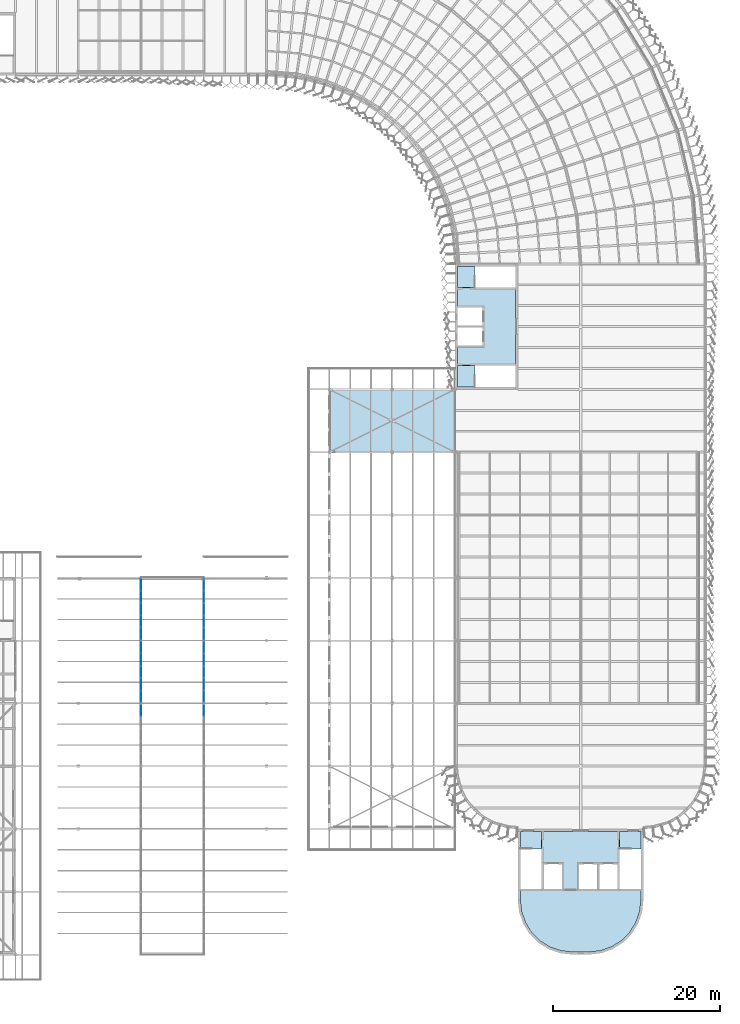
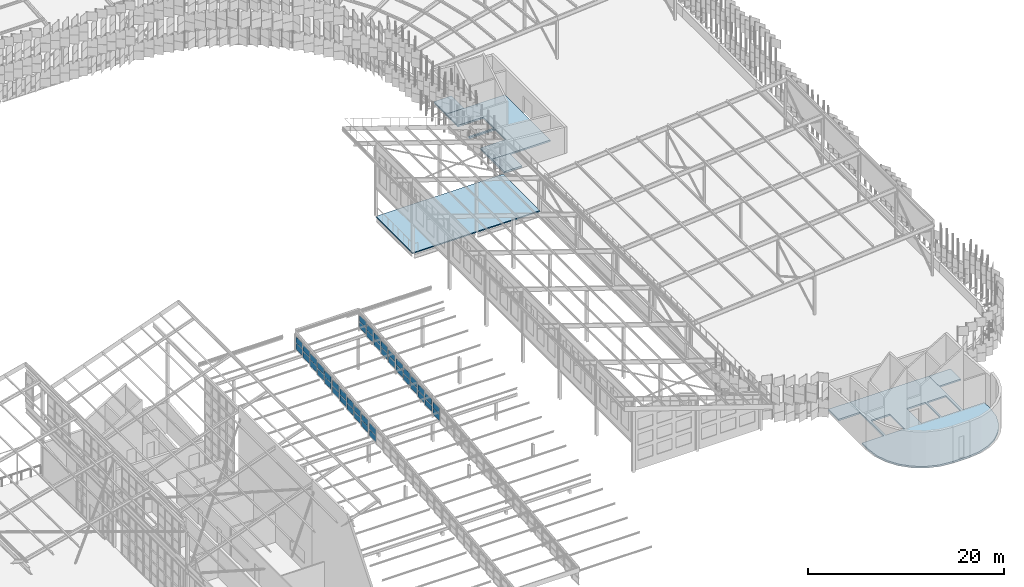
# One storey, part 113 of 483: 44 plates, 7 slabs, 22 elements without a shape of their own.
"""IFC4 building model written with IfcOpenShell, lengths in metres."""

from ifc_helpers import new_model, si_unit, direction, frame, origin, origin_2d, place, context, subcontext, project, spatial, polyline, rectangle, outline, extrude, material, layer, layer_set, type_object, element, aggregate, save


model = new_model("IFC4")

# Units and contexts
model_context = context("Model", 3, precision=1e-05, world=origin(), true_north=direction((0.0, 1.0)))
body_context = subcontext(model_context, "Body", "Model", "MODEL_VIEW")
ifc_project = project(units=[si_unit("LENGTHUNIT", "METRE"), si_unit("AREAUNIT", "SQUARE_METRE"), si_unit("VOLUMEUNIT", "CUBIC_METRE"), si_unit("PLANEANGLEUNIT", "RADIAN"), si_unit("MASSUNIT", "GRAM", prefix="KILO")], contexts=[model_context])

# Site, building, storey
site_placement = place(None, origin())
site = spatial("IfcSite", under=ifc_project, at=site_placement, CompositionType="ELEMENT")
building_placement = place(site_placement, origin())
building = spatial("IfcBuilding", under=site, at=building_placement, Name="Parallax Yard Mobility Hub", CompositionType="ELEMENT")
storey_placement = place(building_placement, frame((0.0, 0.0, 13.199951171875)))
storey = spatial("IfcBuildingStorey", under=building, at=storey_placement, Name="L04", CompositionType="ELEMENT", Elevation=13.199951171875)

# Slabs
ifc_material_1 = material(Name="Composite slab: Concrete fc' 28 MPa on 76 mm steel deck", Category="concrete")
ifc_layer_1 = layer(ifc_material_1, 0.139892578125)
ifc_layer_set_1 = layer_set([ifc_layer_1], Name="Composite floor slab 140")
slab_type_1 = type_object("IfcSlabType", Name="Composite floor slab 140", PredefinedType="FLOOR", material=ifc_layer_set_1)
slab_1_placement = place(storey_placement, frame((0.0, 0.0, -0.139892578125)))
element("IfcSlab", 1, at=slab_1_placement, inside=storey, type_object=slab_type_1, Name="Composite floor slab level L04 of the ramp house (north landing)", PredefinedType="FLOOR", context=body_context, shape_type="SweptSolid", body=[
    extrude(outline(polyline([(195.0, 67.5), (195.0, 75.0), (180.0, 75.0), (180.0, 67.5), (195.0, 67.5)])), origin(), (0.0, 0.0, 1.0), 0.139892578125),
])
ifc_material_2 = material(Name="Concrete fc' 35 MPa", Category="concrete")
ifc_layer_2 = layer(ifc_material_2, 0.199951171875)
ifc_layer_set_2 = layer_set([ifc_layer_2], Name="Core floor slab 200")
slab_type_2 = type_object("IfcSlabType", Name="Core floor slab 200", PredefinedType="FLOOR", material=ifc_layer_set_2)
slab_2_placement = place(storey_placement, frame((0.0, 0.0, -0.199951171875)))
element("IfcSlab", 2, at=slab_2_placement, inside=storey, type_object=slab_type_2, Name="Core C-E floor slab level L04", PredefinedType="FLOOR", context=body_context, shape_type="SweptSolid", body=[
    extrude(outline(polyline([(202.199951171875, 77.85009765625), (195.300048828125, 77.85009765625), (195.300048828125, 80.199951171875), (198.300048828125, 80.199951171875), (198.300048828125, 82.39990234375), (195.300048828125, 82.39990234375), (195.300048828125, 82.60009765625), (198.300048828125, 82.60009765625), (198.300048828125, 84.800048828125), (195.300048828125, 84.800048828125), (195.300048828125, 87.14990234375), (202.199951171875, 87.14990234375), (202.199951171875, 77.85009765625)])), origin(), (0.0, 0.0, 1.0), 0.199951171875),
])
slab_3_placement = place(storey_placement, frame((0.0, 0.0, -0.199951171875)))
element("IfcSlab", 3, at=slab_3_placement, inside=storey, type_object=slab_type_2, Name="Core C-S floor slab level L04", PredefinedType="FLOOR", context=body_context, shape_type="SweptSolid", body=[
    extrude(outline(polyline([(216.5859375, 11.309814453125), (215.847412109375, 10.13427734375), (214.86572265625, 9.152587890625), (213.690185546875, 8.4140625), (212.379638671875, 7.95556640625), (211.0, 7.800048828125), (209.0, 7.800048828125), (207.620361328125, 7.95556640625), (206.309814453125, 8.4140625), (205.13427734375, 9.152587890625), (204.152587890625, 10.13427734375), (203.4140625, 11.309814453125), (202.95556640625, 12.620361328125), (202.800048828125, 14.0), (202.800048828125, 15.300048828125), (205.35009765625, 15.300048828125), (205.35009765625, 22.199951171875), (214.64990234375, 22.199951171875), (214.64990234375, 15.300048828125), (217.199951171875, 15.300048828125), (217.199951171875, 14.0), (217.04443359375, 12.620361328125), (216.5859375, 11.309814453125)]), holes=[polyline([(214.39990234375, 18.300048828125), (212.199951171875, 18.300048828125), (212.199951171875, 15.300048828125), (214.39990234375, 15.300048828125), (214.39990234375, 18.300048828125)]), polyline([(212.0, 15.300048828125), (212.0, 18.300048828125), (209.800048828125, 18.300048828125), (209.800048828125, 15.300048828125), (212.0, 15.300048828125)]), polyline([(205.60009765625, 15.300048828125), (207.800048828125, 15.300048828125), (207.800048828125, 18.300048828125), (205.60009765625, 18.300048828125), (205.60009765625, 15.300048828125)])]), origin(), (0.0, 0.0, 1.0), 0.199951171875),
])

# Curtain wall, plates
ifc_material_3 = material(Name="Thermally broken aluminium curtain wall system", Category="aluminium")
curtain_wall_type = type_object("IfcCurtainWallType", Name="Clerestory glazing run 60 x 120 frame", PredefinedType="NOTDEFINED", material=ifc_material_3)
curtain_wall_1_placement = place(storey_placement, origin())
curtain_wall_1 = element("IfcCurtainWall", 4, at=curtain_wall_1_placement, inside=storey, type_object=curtain_wall_type, Name="Clerestory glazing run Bicycle and shared-mobility hall roof step 1 bay 4 level L02", PredefinedType="NOTDEFINED")
ifc_material_4 = material(Name="Laminated low-E double glazing", Category="glass")
ifc_layer_3 = layer(ifc_material_4, 0.028076171875)
ifc_layer_set_3 = layer_set([ifc_layer_3], Name="Glazing panel 28")
plate_type = type_object("IfcPlateType", Name="Glazing panel 28", PredefinedType="CURTAIN_PANEL", material=ifc_layer_set_3)
plate_1_placement = place(storey_placement, frame((157.5, 36.68896484375, 3.4013671875), z_axis=(0.0, 0.0, 1.0), x_axis=(0.0, 1.0, 0.0)))
plate_1 = element("IfcPlate", 5, at=plate_1_placement, type_object=plate_type, Name="CW4 panel 1.1", PredefinedType="CURTAIN_PANEL", context=body_context, shape_type="SweptSolid", body=[
    extrude(rectangle(XDim=1.349609375, YDim=0.028076171875, at=origin_2d()), origin(), (0.0, 0.0, 1.0), 0.75830078125),
])
plate_2_placement = place(storey_placement, frame((157.5, 36.68896484375, 4.2197265625), z_axis=(0.0, 0.0, 1.0), x_axis=(0.0, 1.0, 0.0)))
plate_2 = element("IfcPlate", 6, at=plate_2_placement, type_object=plate_type, Name="CW4 panel 1.2", PredefinedType="CURTAIN_PANEL", context=body_context, shape_type="SweptSolid", body=[
    extrude(rectangle(XDim=1.349609375, YDim=0.028076171875, at=origin_2d()), origin(), (0.0, 0.0, 1.0), 0.75830078125),
])
aggregate(curtain_wall_1, [plate_1, plate_2])

curtain_wall_2_placement = place(storey_placement, origin())
curtain_wall_2 = element("IfcCurtainWall", 7, at=curtain_wall_2_placement, inside=storey, type_object=curtain_wall_type, Name="Clerestory glazing run Bicycle and shared-mobility hall roof step 1 bay 5 level L02", PredefinedType="NOTDEFINED")
plate_3_placement = place(storey_placement, frame((157.5, 38.31103515625, 3.58154296875), z_axis=(0.0, 0.0, 1.0), x_axis=(0.0, 1.0, 0.0)))
plate_3 = element("IfcPlate", 8, at=plate_3_placement, type_object=plate_type, Name="CW4 panel 1.1", PredefinedType="CURTAIN_PANEL", context=body_context, shape_type="SweptSolid", body=[
    extrude(rectangle(XDim=1.349609375, YDim=0.028076171875, at=origin_2d()), origin(), (0.0, 0.0, 1.0), 0.757080078125),
])
plate_4_placement = place(storey_placement, frame((157.5, 38.31103515625, 4.39892578125), z_axis=(0.0, 0.0, 1.0), x_axis=(0.0, 1.0, 0.0)))
plate_4 = element("IfcPlate", 9, at=plate_4_placement, type_object=plate_type, Name="CW4 panel 1.2", PredefinedType="CURTAIN_PANEL", context=body_context, shape_type="SweptSolid", body=[
    extrude(rectangle(XDim=1.349609375, YDim=0.028076171875, at=origin_2d()), origin(), (0.0, 0.0, 1.0), 0.757080078125),
])
aggregate(curtain_wall_2, [plate_3, plate_4])

curtain_wall_3_placement = place(storey_placement, origin())
curtain_wall_3 = element("IfcCurtainWall", 10, at=curtain_wall_3_placement, inside=storey, type_object=curtain_wall_type, Name="Clerestory glazing run Bicycle and shared-mobility hall roof step 1 bay 5 level L02", PredefinedType="NOTDEFINED")
plate_5_placement = place(storey_placement, frame((157.5, 39.780517578125, 3.744873046875), z_axis=(0.0, 0.0, 1.0), x_axis=(0.0, 1.0, 0.0)))
plate_5 = element("IfcPlate", 11, at=plate_5_placement, type_object=plate_type, Name="CW4 panel 1.1", PredefinedType="CURTAIN_PANEL", context=body_context, shape_type="SweptSolid", body=[
    extrude(rectangle(XDim=1.349609375, YDim=0.028076171875, at=origin_2d()), origin(), (0.0, 0.0, 1.0), 0.7587890625),
])
plate_6_placement = place(storey_placement, frame((157.5, 39.780517578125, 4.563720703125), z_axis=(0.0, 0.0, 1.0), x_axis=(0.0, 1.0, 0.0)))
plate_6 = element("IfcPlate", 12, at=plate_6_placement, type_object=plate_type, Name="CW4 panel 1.2", PredefinedType="CURTAIN_PANEL", context=body_context, shape_type="SweptSolid", body=[
    extrude(rectangle(XDim=1.349609375, YDim=0.028076171875, at=origin_2d()), origin(), (0.0, 0.0, 1.0), 0.7587890625),
])
aggregate(curtain_wall_3, [plate_5, plate_6])

curtain_wall_4_placement = place(storey_placement, origin())
curtain_wall_4 = element("IfcCurtainWall", 13, at=curtain_wall_4_placement, inside=storey, type_object=curtain_wall_type, Name="Clerestory glazing run Bicycle and shared-mobility hall roof step 1 bay 5 level L02", PredefinedType="NOTDEFINED")
plate_7_placement = place(storey_placement, frame((157.5, 41.25, 3.908203125), z_axis=(0.0, 0.0, 1.0), x_axis=(0.0, 1.0, 0.0)))
plate_7 = element("IfcPlate", 14, at=plate_7_placement, type_object=plate_type, Name="CW4 panel 1.1", PredefinedType="CURTAIN_PANEL", context=body_context, shape_type="SweptSolid", body=[
    extrude(rectangle(XDim=1.349609375, YDim=0.028076171875, at=origin_2d()), origin(), (0.0, 0.0, 1.0), 0.760498046875),
])
plate_8_placement = place(storey_placement, frame((157.5, 41.25, 4.728515625), z_axis=(0.0, 0.0, 1.0), x_axis=(0.0, 1.0, 0.0)))
plate_8 = element("IfcPlate", 15, at=plate_8_placement, type_object=plate_type, Name="CW4 panel 1.2", PredefinedType="CURTAIN_PANEL", context=body_context, shape_type="SweptSolid", body=[
    extrude(rectangle(XDim=1.349609375, YDim=0.028076171875, at=origin_2d()), origin(), (0.0, 0.0, 1.0), 0.760498046875),
])
aggregate(curtain_wall_4, [plate_7, plate_8])

curtain_wall_5_placement = place(storey_placement, origin())
curtain_wall_5 = element("IfcCurtainWall", 16, at=curtain_wall_5_placement, inside=storey, type_object=curtain_wall_type, Name="Clerestory glazing run Bicycle and shared-mobility hall roof step 1 bay 5 level L02", PredefinedType="NOTDEFINED")
plate_9_placement = place(storey_placement, frame((157.5, 42.719482421875, 4.0712890625), z_axis=(0.0, 0.0, 1.0), x_axis=(0.0, 1.0, 0.0)))
plate_9 = element("IfcPlate", 17, at=plate_9_placement, type_object=plate_type, Name="CW4 panel 1.1", PredefinedType="CURTAIN_PANEL", context=body_context, shape_type="SweptSolid", body=[
    extrude(rectangle(XDim=1.349609375, YDim=0.028076171875, at=origin_2d()), origin(), (0.0, 0.0, 1.0), 0.756591796875),
])
plate_10_placement = place(storey_placement, frame((157.5, 42.719482421875, 4.88818359375), z_axis=(0.0, 0.0, 1.0), x_axis=(0.0, 1.0, 0.0)))
plate_10 = element("IfcPlate", 18, at=plate_10_placement, type_object=plate_type, Name="CW4 panel 1.2", PredefinedType="CURTAIN_PANEL", context=body_context, shape_type="SweptSolid", body=[
    extrude(rectangle(XDim=1.349609375, YDim=0.028076171875, at=origin_2d()), origin(), (0.0, 0.0, 1.0), 0.756591796875),
])
aggregate(curtain_wall_5, [plate_9, plate_10])

curtain_wall_6_placement = place(storey_placement, origin())
curtain_wall_6 = element("IfcCurtainWall", 19, at=curtain_wall_6_placement, inside=storey, type_object=curtain_wall_type, Name="Clerestory glazing run Bicycle and shared-mobility hall roof step 1 bay 5 level L02", PredefinedType="NOTDEFINED")
plate_11_placement = place(storey_placement, frame((157.5, 44.18896484375, 4.23486328125), z_axis=(0.0, 0.0, 1.0), x_axis=(0.0, 1.0, 0.0)))
plate_11 = element("IfcPlate", 20, at=plate_11_placement, type_object=plate_type, Name="CW4 panel 1.1", PredefinedType="CURTAIN_PANEL", context=body_context, shape_type="SweptSolid", body=[
    extrude(rectangle(XDim=1.349609375, YDim=0.028076171875, at=origin_2d()), origin(), (0.0, 0.0, 1.0), 0.75830078125),
])
plate_12_placement = place(storey_placement, frame((157.5, 44.18896484375, 5.05322265625), z_axis=(0.0, 0.0, 1.0), x_axis=(0.0, 1.0, 0.0)))
plate_12 = element("IfcPlate", 21, at=plate_12_placement, type_object=plate_type, Name="CW4 panel 1.2", PredefinedType="CURTAIN_PANEL", context=body_context, shape_type="SweptSolid", body=[
    extrude(rectangle(XDim=1.349609375, YDim=0.028076171875, at=origin_2d()), origin(), (0.0, 0.0, 1.0), 0.75830078125),
])
aggregate(curtain_wall_6, [plate_11, plate_12])

curtain_wall_7_placement = place(storey_placement, origin())
curtain_wall_7 = element("IfcCurtainWall", 22, at=curtain_wall_7_placement, inside=storey, type_object=curtain_wall_type, Name="Clerestory glazing run Bicycle and shared-mobility hall roof step 1 bay 6 level L02", PredefinedType="NOTDEFINED")
plate_13_placement = place(storey_placement, frame((157.5, 45.81103515625, 4.4150390625), z_axis=(0.0, 0.0, 1.0), x_axis=(0.0, 1.0, 0.0)))
plate_13 = element("IfcPlate", 23, at=plate_13_placement, type_object=plate_type, Name="CW4 panel 1.1", PredefinedType="CURTAIN_PANEL", context=body_context, shape_type="SweptSolid", body=[
    extrude(rectangle(XDim=1.349609375, YDim=0.028076171875, at=origin_2d()), origin(), (0.0, 0.0, 1.0), 0.757080078125),
])
plate_14_placement = place(storey_placement, frame((157.5, 45.81103515625, 5.23193359375), z_axis=(0.0, 0.0, 1.0), x_axis=(0.0, 1.0, 0.0)))
plate_14 = element("IfcPlate", 24, at=plate_14_placement, type_object=plate_type, Name="CW4 panel 1.2", PredefinedType="CURTAIN_PANEL", context=body_context, shape_type="SweptSolid", body=[
    extrude(rectangle(XDim=1.349609375, YDim=0.028076171875, at=origin_2d()), origin(), (0.0, 0.0, 1.0), 0.757080078125),
])
aggregate(curtain_wall_7, [plate_13, plate_14])

curtain_wall_8_placement = place(storey_placement, origin())
curtain_wall_8 = element("IfcCurtainWall", 25, at=curtain_wall_8_placement, inside=storey, type_object=curtain_wall_type, Name="Clerestory glazing run Bicycle and shared-mobility hall roof step 1 bay 6 level L02", PredefinedType="NOTDEFINED")
plate_15_placement = place(storey_placement, frame((157.5, 47.280517578125, 4.578369140625), z_axis=(0.0, 0.0, 1.0), x_axis=(0.0, 1.0, 0.0)))
plate_15 = element("IfcPlate", 26, at=plate_15_placement, type_object=plate_type, Name="CW4 panel 1.1", PredefinedType="CURTAIN_PANEL", context=body_context, shape_type="SweptSolid", body=[
    extrude(rectangle(XDim=1.349609375, YDim=0.028076171875, at=origin_2d()), origin(), (0.0, 0.0, 1.0), 0.7587890625),
])
plate_16_placement = place(storey_placement, frame((157.5, 47.280517578125, 5.39697265625), z_axis=(0.0, 0.0, 1.0), x_axis=(0.0, 1.0, 0.0)))
plate_16 = element("IfcPlate", 27, at=plate_16_placement, type_object=plate_type, Name="CW4 panel 1.2", PredefinedType="CURTAIN_PANEL", context=body_context, shape_type="SweptSolid", body=[
    extrude(rectangle(XDim=1.349609375, YDim=0.028076171875, at=origin_2d()), origin(), (0.0, 0.0, 1.0), 0.7587890625),
])
aggregate(curtain_wall_8, [plate_15, plate_16])

curtain_wall_9_placement = place(storey_placement, origin())
curtain_wall_9 = element("IfcCurtainWall", 28, at=curtain_wall_9_placement, inside=storey, type_object=curtain_wall_type, Name="Clerestory glazing run Bicycle and shared-mobility hall roof step 1 bay 6 level L02", PredefinedType="NOTDEFINED")
plate_17_placement = place(storey_placement, frame((157.5, 48.75, 4.7412109375), z_axis=(0.0, 0.0, 1.0), x_axis=(0.0, 1.0, 0.0)))
plate_17 = element("IfcPlate", 29, at=plate_17_placement, type_object=plate_type, Name="CW4 panel 1.1", PredefinedType="CURTAIN_PANEL", context=body_context, shape_type="SweptSolid", body=[
    extrude(rectangle(XDim=1.349609375, YDim=0.028076171875, at=origin_2d()), origin(), (0.0, 0.0, 1.0), 0.760498046875),
])
plate_18_placement = place(storey_placement, frame((157.5, 48.75, 5.56201171875), z_axis=(0.0, 0.0, 1.0), x_axis=(0.0, 1.0, 0.0)))
plate_18 = element("IfcPlate", 30, at=plate_18_placement, type_object=plate_type, Name="CW4 panel 1.2", PredefinedType="CURTAIN_PANEL", context=body_context, shape_type="SweptSolid", body=[
    extrude(rectangle(XDim=1.349609375, YDim=0.028076171875, at=origin_2d()), origin(), (0.0, 0.0, 1.0), 0.760498046875),
])
aggregate(curtain_wall_9, [plate_17, plate_18])

curtain_wall_10_placement = place(storey_placement, origin())
curtain_wall_10 = element("IfcCurtainWall", 31, at=curtain_wall_10_placement, inside=storey, type_object=curtain_wall_type, Name="Clerestory glazing run Bicycle and shared-mobility hall roof step 1 bay 6 level L02", PredefinedType="NOTDEFINED")
plate_19_placement = place(storey_placement, frame((157.5, 50.219482421875, 4.90478515625), z_axis=(0.0, 0.0, 1.0), x_axis=(0.0, 1.0, 0.0)))
plate_19 = element("IfcPlate", 32, at=plate_19_placement, type_object=plate_type, Name="CW4 panel 1.1", PredefinedType="CURTAIN_PANEL", context=body_context, shape_type="SweptSolid", body=[
    extrude(rectangle(XDim=1.349609375, YDim=0.028076171875, at=origin_2d()), origin(), (0.0, 0.0, 1.0), 0.756591796875),
])
plate_20_placement = place(storey_placement, frame((157.5, 50.219482421875, 5.7216796875), z_axis=(0.0, 0.0, 1.0), x_axis=(0.0, 1.0, 0.0)))
plate_20 = element("IfcPlate", 33, at=plate_20_placement, type_object=plate_type, Name="CW4 panel 1.2", PredefinedType="CURTAIN_PANEL", context=body_context, shape_type="SweptSolid", body=[
    extrude(rectangle(XDim=1.349609375, YDim=0.028076171875, at=origin_2d()), origin(), (0.0, 0.0, 1.0), 0.756591796875),
])
aggregate(curtain_wall_10, [plate_19, plate_20])

curtain_wall_11_placement = place(storey_placement, origin())
curtain_wall_11 = element("IfcCurtainWall", 34, at=curtain_wall_11_placement, inside=storey, type_object=curtain_wall_type, Name="Clerestory glazing run Bicycle and shared-mobility hall roof step 1 bay 6 level L02", PredefinedType="NOTDEFINED")
plate_21_placement = place(storey_placement, frame((157.5, 51.68896484375, 5.068115234375), z_axis=(0.0, 0.0, 1.0), x_axis=(0.0, 1.0, 0.0)))
plate_21 = element("IfcPlate", 35, at=plate_21_placement, type_object=plate_type, Name="CW4 panel 1.1", PredefinedType="CURTAIN_PANEL", context=body_context, shape_type="SweptSolid", body=[
    extrude(rectangle(XDim=1.349609375, YDim=0.028076171875, at=origin_2d()), origin(), (0.0, 0.0, 1.0), 0.75830078125),
])
plate_22_placement = place(storey_placement, frame((157.5, 51.68896484375, 5.886474609375), z_axis=(0.0, 0.0, 1.0), x_axis=(0.0, 1.0, 0.0)))
plate_22 = element("IfcPlate", 36, at=plate_22_placement, type_object=plate_type, Name="CW4 panel 1.2", PredefinedType="CURTAIN_PANEL", context=body_context, shape_type="SweptSolid", body=[
    extrude(rectangle(XDim=1.349609375, YDim=0.028076171875, at=origin_2d()), origin(), (0.0, 0.0, 1.0), 0.75830078125),
])
aggregate(curtain_wall_11, [plate_21, plate_22])

curtain_wall_12_placement = place(storey_placement, origin())
curtain_wall_12 = element("IfcCurtainWall", 37, at=curtain_wall_12_placement, inside=storey, type_object=curtain_wall_type, Name="Clerestory glazing run Bicycle and shared-mobility hall roof step 2 bay 4 level L02", PredefinedType="NOTDEFINED")
plate_23_placement = place(storey_placement, frame((165.0, 36.68896484375, 3.4013671875), z_axis=(0.0, 0.0, 1.0), x_axis=(0.0, 1.0, 0.0)))
plate_23 = element("IfcPlate", 38, at=plate_23_placement, type_object=plate_type, Name="CW4 panel 1.1", PredefinedType="CURTAIN_PANEL", context=body_context, shape_type="SweptSolid", body=[
    extrude(rectangle(XDim=1.349609375, YDim=0.028076171875, at=origin_2d()), origin(), (0.0, 0.0, 1.0), 0.75830078125),
])
plate_24_placement = place(storey_placement, frame((165.0, 36.68896484375, 4.2197265625), z_axis=(0.0, 0.0, 1.0), x_axis=(0.0, 1.0, 0.0)))
plate_24 = element("IfcPlate", 39, at=plate_24_placement, type_object=plate_type, Name="CW4 panel 1.2", PredefinedType="CURTAIN_PANEL", context=body_context, shape_type="SweptSolid", body=[
    extrude(rectangle(XDim=1.349609375, YDim=0.028076171875, at=origin_2d()), origin(), (0.0, 0.0, 1.0), 0.75830078125),
])
aggregate(curtain_wall_12, [plate_23, plate_24])

curtain_wall_13_placement = place(storey_placement, origin())
curtain_wall_13 = element("IfcCurtainWall", 40, at=curtain_wall_13_placement, inside=storey, type_object=curtain_wall_type, Name="Clerestory glazing run Bicycle and shared-mobility hall roof step 2 bay 5 level L02", PredefinedType="NOTDEFINED")
plate_25_placement = place(storey_placement, frame((165.0, 38.31103515625, 3.58154296875), z_axis=(0.0, 0.0, 1.0), x_axis=(0.0, 1.0, 0.0)))
plate_25 = element("IfcPlate", 41, at=plate_25_placement, type_object=plate_type, Name="CW4 panel 1.1", PredefinedType="CURTAIN_PANEL", context=body_context, shape_type="SweptSolid", body=[
    extrude(rectangle(XDim=1.349609375, YDim=0.028076171875, at=origin_2d()), origin(), (0.0, 0.0, 1.0), 0.757080078125),
])
plate_26_placement = place(storey_placement, frame((165.0, 38.31103515625, 4.39892578125), z_axis=(0.0, 0.0, 1.0), x_axis=(0.0, 1.0, 0.0)))
plate_26 = element("IfcPlate", 42, at=plate_26_placement, type_object=plate_type, Name="CW4 panel 1.2", PredefinedType="CURTAIN_PANEL", context=body_context, shape_type="SweptSolid", body=[
    extrude(rectangle(XDim=1.349609375, YDim=0.028076171875, at=origin_2d()), origin(), (0.0, 0.0, 1.0), 0.757080078125),
])
aggregate(curtain_wall_13, [plate_25, plate_26])

curtain_wall_14_placement = place(storey_placement, origin())
curtain_wall_14 = element("IfcCurtainWall", 43, at=curtain_wall_14_placement, inside=storey, type_object=curtain_wall_type, Name="Clerestory glazing run Bicycle and shared-mobility hall roof step 2 bay 5 level L02", PredefinedType="NOTDEFINED")
plate_27_placement = place(storey_placement, frame((165.0, 39.780517578125, 3.744873046875), z_axis=(0.0, 0.0, 1.0), x_axis=(0.0, 1.0, 0.0)))
plate_27 = element("IfcPlate", 44, at=plate_27_placement, type_object=plate_type, Name="CW4 panel 1.1", PredefinedType="CURTAIN_PANEL", context=body_context, shape_type="SweptSolid", body=[
    extrude(rectangle(XDim=1.349609375, YDim=0.028076171875, at=origin_2d()), origin(), (0.0, 0.0, 1.0), 0.7587890625),
])
plate_28_placement = place(storey_placement, frame((165.0, 39.780517578125, 4.563720703125), z_axis=(0.0, 0.0, 1.0), x_axis=(0.0, 1.0, 0.0)))
plate_28 = element("IfcPlate", 45, at=plate_28_placement, type_object=plate_type, Name="CW4 panel 1.2", PredefinedType="CURTAIN_PANEL", context=body_context, shape_type="SweptSolid", body=[
    extrude(rectangle(XDim=1.349609375, YDim=0.028076171875, at=origin_2d()), origin(), (0.0, 0.0, 1.0), 0.7587890625),
])
aggregate(curtain_wall_14, [plate_27, plate_28])

curtain_wall_15_placement = place(storey_placement, origin())
curtain_wall_15 = element("IfcCurtainWall", 46, at=curtain_wall_15_placement, inside=storey, type_object=curtain_wall_type, Name="Clerestory glazing run Bicycle and shared-mobility hall roof step 2 bay 5 level L02", PredefinedType="NOTDEFINED")
plate_29_placement = place(storey_placement, frame((165.0, 41.25, 3.908203125), z_axis=(0.0, 0.0, 1.0), x_axis=(0.0, 1.0, 0.0)))
plate_29 = element("IfcPlate", 47, at=plate_29_placement, type_object=plate_type, Name="CW4 panel 1.1", PredefinedType="CURTAIN_PANEL", context=body_context, shape_type="SweptSolid", body=[
    extrude(rectangle(XDim=1.349609375, YDim=0.028076171875, at=origin_2d()), origin(), (0.0, 0.0, 1.0), 0.760498046875),
])
plate_30_placement = place(storey_placement, frame((165.0, 41.25, 4.728515625), z_axis=(0.0, 0.0, 1.0), x_axis=(0.0, 1.0, 0.0)))
plate_30 = element("IfcPlate", 48, at=plate_30_placement, type_object=plate_type, Name="CW4 panel 1.2", PredefinedType="CURTAIN_PANEL", context=body_context, shape_type="SweptSolid", body=[
    extrude(rectangle(XDim=1.349609375, YDim=0.028076171875, at=origin_2d()), origin(), (0.0, 0.0, 1.0), 0.760498046875),
])
aggregate(curtain_wall_15, [plate_29, plate_30])

curtain_wall_16_placement = place(storey_placement, origin())
curtain_wall_16 = element("IfcCurtainWall", 49, at=curtain_wall_16_placement, inside=storey, type_object=curtain_wall_type, Name="Clerestory glazing run Bicycle and shared-mobility hall roof step 2 bay 5 level L02", PredefinedType="NOTDEFINED")
plate_31_placement = place(storey_placement, frame((165.0, 42.719482421875, 4.0712890625), z_axis=(0.0, 0.0, 1.0), x_axis=(0.0, 1.0, 0.0)))
plate_31 = element("IfcPlate", 50, at=plate_31_placement, type_object=plate_type, Name="CW4 panel 1.1", PredefinedType="CURTAIN_PANEL", context=body_context, shape_type="SweptSolid", body=[
    extrude(rectangle(XDim=1.349609375, YDim=0.028076171875, at=origin_2d()), origin(), (0.0, 0.0, 1.0), 0.756591796875),
])
plate_32_placement = place(storey_placement, frame((165.0, 42.719482421875, 4.88818359375), z_axis=(0.0, 0.0, 1.0), x_axis=(0.0, 1.0, 0.0)))
plate_32 = element("IfcPlate", 51, at=plate_32_placement, type_object=plate_type, Name="CW4 panel 1.2", PredefinedType="CURTAIN_PANEL", context=body_context, shape_type="SweptSolid", body=[
    extrude(rectangle(XDim=1.349609375, YDim=0.028076171875, at=origin_2d()), origin(), (0.0, 0.0, 1.0), 0.756591796875),
])
aggregate(curtain_wall_16, [plate_31, plate_32])

curtain_wall_17_placement = place(storey_placement, origin())
curtain_wall_17 = element("IfcCurtainWall", 52, at=curtain_wall_17_placement, inside=storey, type_object=curtain_wall_type, Name="Clerestory glazing run Bicycle and shared-mobility hall roof step 2 bay 5 level L02", PredefinedType="NOTDEFINED")
plate_33_placement = place(storey_placement, frame((165.0, 44.18896484375, 4.23486328125), z_axis=(0.0, 0.0, 1.0), x_axis=(0.0, 1.0, 0.0)))
plate_33 = element("IfcPlate", 53, at=plate_33_placement, type_object=plate_type, Name="CW4 panel 1.1", PredefinedType="CURTAIN_PANEL", context=body_context, shape_type="SweptSolid", body=[
    extrude(rectangle(XDim=1.349609375, YDim=0.028076171875, at=origin_2d()), origin(), (0.0, 0.0, 1.0), 0.75830078125),
])
plate_34_placement = place(storey_placement, frame((165.0, 44.18896484375, 5.05322265625), z_axis=(0.0, 0.0, 1.0), x_axis=(0.0, 1.0, 0.0)))
plate_34 = element("IfcPlate", 54, at=plate_34_placement, type_object=plate_type, Name="CW4 panel 1.2", PredefinedType="CURTAIN_PANEL", context=body_context, shape_type="SweptSolid", body=[
    extrude(rectangle(XDim=1.349609375, YDim=0.028076171875, at=origin_2d()), origin(), (0.0, 0.0, 1.0), 0.75830078125),
])
aggregate(curtain_wall_17, [plate_33, plate_34])

curtain_wall_18_placement = place(storey_placement, origin())
curtain_wall_18 = element("IfcCurtainWall", 55, at=curtain_wall_18_placement, inside=storey, type_object=curtain_wall_type, Name="Clerestory glazing run Bicycle and shared-mobility hall roof step 2 bay 6 level L02", PredefinedType="NOTDEFINED")
plate_35_placement = place(storey_placement, frame((165.0, 45.81103515625, 4.4150390625), z_axis=(0.0, 0.0, 1.0), x_axis=(0.0, 1.0, 0.0)))
plate_35 = element("IfcPlate", 56, at=plate_35_placement, type_object=plate_type, Name="CW4 panel 1.1", PredefinedType="CURTAIN_PANEL", context=body_context, shape_type="SweptSolid", body=[
    extrude(rectangle(XDim=1.349609375, YDim=0.028076171875, at=origin_2d()), origin(), (0.0, 0.0, 1.0), 0.757080078125),
])
plate_36_placement = place(storey_placement, frame((165.0, 45.81103515625, 5.23193359375), z_axis=(0.0, 0.0, 1.0), x_axis=(0.0, 1.0, 0.0)))
plate_36 = element("IfcPlate", 57, at=plate_36_placement, type_object=plate_type, Name="CW4 panel 1.2", PredefinedType="CURTAIN_PANEL", context=body_context, shape_type="SweptSolid", body=[
    extrude(rectangle(XDim=1.349609375, YDim=0.028076171875, at=origin_2d()), origin(), (0.0, 0.0, 1.0), 0.757080078125),
])
aggregate(curtain_wall_18, [plate_35, plate_36])

curtain_wall_19_placement = place(storey_placement, origin())
curtain_wall_19 = element("IfcCurtainWall", 58, at=curtain_wall_19_placement, inside=storey, type_object=curtain_wall_type, Name="Clerestory glazing run Bicycle and shared-mobility hall roof step 2 bay 6 level L02", PredefinedType="NOTDEFINED")
plate_37_placement = place(storey_placement, frame((165.0, 47.280517578125, 4.578369140625), z_axis=(0.0, 0.0, 1.0), x_axis=(0.0, 1.0, 0.0)))
plate_37 = element("IfcPlate", 59, at=plate_37_placement, type_object=plate_type, Name="CW4 panel 1.1", PredefinedType="CURTAIN_PANEL", context=body_context, shape_type="SweptSolid", body=[
    extrude(rectangle(XDim=1.349609375, YDim=0.028076171875, at=origin_2d()), origin(), (0.0, 0.0, 1.0), 0.7587890625),
])
plate_38_placement = place(storey_placement, frame((165.0, 47.280517578125, 5.39697265625), z_axis=(0.0, 0.0, 1.0), x_axis=(0.0, 1.0, 0.0)))
plate_38 = element("IfcPlate", 60, at=plate_38_placement, type_object=plate_type, Name="CW4 panel 1.2", PredefinedType="CURTAIN_PANEL", context=body_context, shape_type="SweptSolid", body=[
    extrude(rectangle(XDim=1.349609375, YDim=0.028076171875, at=origin_2d()), origin(), (0.0, 0.0, 1.0), 0.7587890625),
])
aggregate(curtain_wall_19, [plate_37, plate_38])

curtain_wall_20_placement = place(storey_placement, origin())
curtain_wall_20 = element("IfcCurtainWall", 61, at=curtain_wall_20_placement, inside=storey, type_object=curtain_wall_type, Name="Clerestory glazing run Bicycle and shared-mobility hall roof step 2 bay 6 level L02", PredefinedType="NOTDEFINED")
plate_39_placement = place(storey_placement, frame((165.0, 48.75, 4.7412109375), z_axis=(0.0, 0.0, 1.0), x_axis=(0.0, 1.0, 0.0)))
plate_39 = element("IfcPlate", 62, at=plate_39_placement, type_object=plate_type, Name="CW4 panel 1.1", PredefinedType="CURTAIN_PANEL", context=body_context, shape_type="SweptSolid", body=[
    extrude(rectangle(XDim=1.349609375, YDim=0.028076171875, at=origin_2d()), origin(), (0.0, 0.0, 1.0), 0.760498046875),
])
plate_40_placement = place(storey_placement, frame((165.0, 48.75, 5.56201171875), z_axis=(0.0, 0.0, 1.0), x_axis=(0.0, 1.0, 0.0)))
plate_40 = element("IfcPlate", 63, at=plate_40_placement, type_object=plate_type, Name="CW4 panel 1.2", PredefinedType="CURTAIN_PANEL", context=body_context, shape_type="SweptSolid", body=[
    extrude(rectangle(XDim=1.349609375, YDim=0.028076171875, at=origin_2d()), origin(), (0.0, 0.0, 1.0), 0.760498046875),
])
aggregate(curtain_wall_20, [plate_39, plate_40])

curtain_wall_21_placement = place(storey_placement, origin())
curtain_wall_21 = element("IfcCurtainWall", 64, at=curtain_wall_21_placement, inside=storey, type_object=curtain_wall_type, Name="Clerestory glazing run Bicycle and shared-mobility hall roof step 2 bay 6 level L02", PredefinedType="NOTDEFINED")
plate_41_placement = place(storey_placement, frame((165.0, 50.219482421875, 4.90478515625), z_axis=(0.0, 0.0, 1.0), x_axis=(0.0, 1.0, 0.0)))
plate_41 = element("IfcPlate", 65, at=plate_41_placement, type_object=plate_type, Name="CW4 panel 1.1", PredefinedType="CURTAIN_PANEL", context=body_context, shape_type="SweptSolid", body=[
    extrude(rectangle(XDim=1.349609375, YDim=0.028076171875, at=origin_2d()), origin(), (0.0, 0.0, 1.0), 0.756591796875),
])
plate_42_placement = place(storey_placement, frame((165.0, 50.219482421875, 5.7216796875), z_axis=(0.0, 0.0, 1.0), x_axis=(0.0, 1.0, 0.0)))
plate_42 = element("IfcPlate", 66, at=plate_42_placement, type_object=plate_type, Name="CW4 panel 1.2", PredefinedType="CURTAIN_PANEL", context=body_context, shape_type="SweptSolid", body=[
    extrude(rectangle(XDim=1.349609375, YDim=0.028076171875, at=origin_2d()), origin(), (0.0, 0.0, 1.0), 0.756591796875),
])
aggregate(curtain_wall_21, [plate_41, plate_42])

curtain_wall_22_placement = place(storey_placement, origin())
curtain_wall_22 = element("IfcCurtainWall", 67, at=curtain_wall_22_placement, inside=storey, type_object=curtain_wall_type, Name="Clerestory glazing run Bicycle and shared-mobility hall roof step 2 bay 6 level L02", PredefinedType="NOTDEFINED")
plate_43_placement = place(storey_placement, frame((165.0, 51.68896484375, 5.068115234375), z_axis=(0.0, 0.0, 1.0), x_axis=(0.0, 1.0, 0.0)))
plate_43 = element("IfcPlate", 68, at=plate_43_placement, type_object=plate_type, Name="CW4 panel 1.1", PredefinedType="CURTAIN_PANEL", context=body_context, shape_type="SweptSolid", body=[
    extrude(rectangle(XDim=1.349609375, YDim=0.028076171875, at=origin_2d()), origin(), (0.0, 0.0, 1.0), 0.75830078125),
])
plate_44_placement = place(storey_placement, frame((165.0, 51.68896484375, 5.886474609375), z_axis=(0.0, 0.0, 1.0), x_axis=(0.0, 1.0, 0.0)))
plate_44 = element("IfcPlate", 69, at=plate_44_placement, type_object=plate_type, Name="CW4 panel 1.2", PredefinedType="CURTAIN_PANEL", context=body_context, shape_type="SweptSolid", body=[
    extrude(rectangle(XDim=1.349609375, YDim=0.028076171875, at=origin_2d()), origin(), (0.0, 0.0, 1.0), 0.75830078125),
])
aggregate(curtain_wall_22, [plate_43, plate_44])

# Slabs
ifc_layer_4 = layer(ifc_material_2, 0.199951171875)
ifc_layer_set_4 = layer_set([ifc_layer_4], Name="Stair floor landing slab 200")
slab_type_3 = type_object("IfcSlabType", Name="Stair floor landing slab 200", PredefinedType="FLOOR", material=ifc_layer_set_4)
slab_4_placement = place(storey_placement, frame((0.0, 0.0, -0.199951171875)))
element("IfcSlab", 70, at=slab_4_placement, inside=storey, type_object=slab_type_3, Name="Core C-E exit stair 1 floor landing level L04", PredefinedType="FLOOR", context=body_context, shape_type="SweptSolid", body=[
    extrude(outline(polyline([(197.39990234375, 77.85009765625), (195.300048828125, 77.85009765625), (195.300048828125, 75.300048828125), (197.39990234375, 75.300048828125), (197.39990234375, 77.85009765625)])), origin(), (0.0, 0.0, 1.0), 0.199951171875),
])
slab_5_placement = place(storey_placement, frame((0.0, 0.0, -0.199951171875)))
element("IfcSlab", 71, at=slab_5_placement, inside=storey, type_object=slab_type_3, Name="Core C-E exit stair 2 floor landing level L04", PredefinedType="FLOOR", context=body_context, shape_type="SweptSolid", body=[
    extrude(outline(polyline([(197.39990234375, 89.699951171875), (195.300048828125, 89.699951171875), (195.300048828125, 87.14990234375), (197.39990234375, 87.14990234375), (197.39990234375, 89.699951171875)])), origin(), (0.0, 0.0, 1.0), 0.199951171875),
])
slab_6_placement = place(storey_placement, frame((0.0, 0.0, -0.199951171875)))
element("IfcSlab", 72, at=slab_6_placement, inside=storey, type_object=slab_type_3, Name="Core C-S exit stair 1 floor landing level L04", PredefinedType="FLOOR", context=body_context, shape_type="SweptSolid", body=[
    extrude(outline(polyline([(217.199951171875, 20.10009765625), (214.64990234375, 20.10009765625), (214.64990234375, 22.199951171875), (217.199951171875, 22.199951171875), (217.199951171875, 20.10009765625)])), origin(), (0.0, 0.0, 1.0), 0.199951171875),
])
slab_7_placement = place(storey_placement, frame((0.0, 0.0, -0.199951171875)))
element("IfcSlab", 73, at=slab_7_placement, inside=storey, type_object=slab_type_3, Name="Core C-S exit stair 2 floor landing level L04", PredefinedType="FLOOR", context=body_context, shape_type="SweptSolid", body=[
    extrude(outline(polyline([(205.35009765625, 20.10009765625), (202.800048828125, 20.10009765625), (202.800048828125, 22.199951171875), (205.35009765625, 22.199951171875), (205.35009765625, 20.10009765625)])), origin(), (0.0, 0.0, 1.0), 0.199951171875),
])

save(model, "model.ifc")
